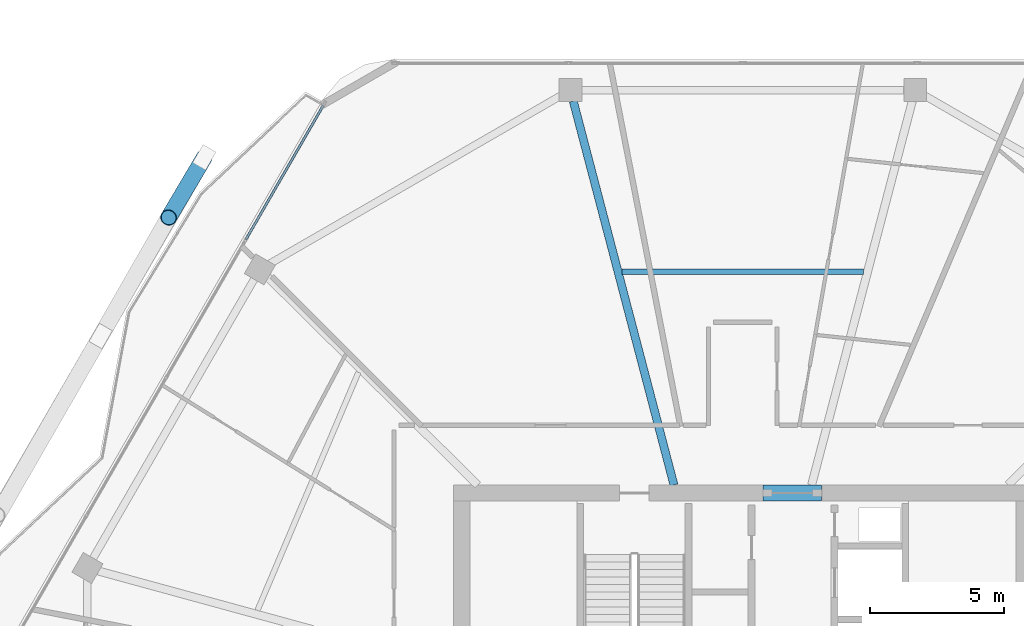
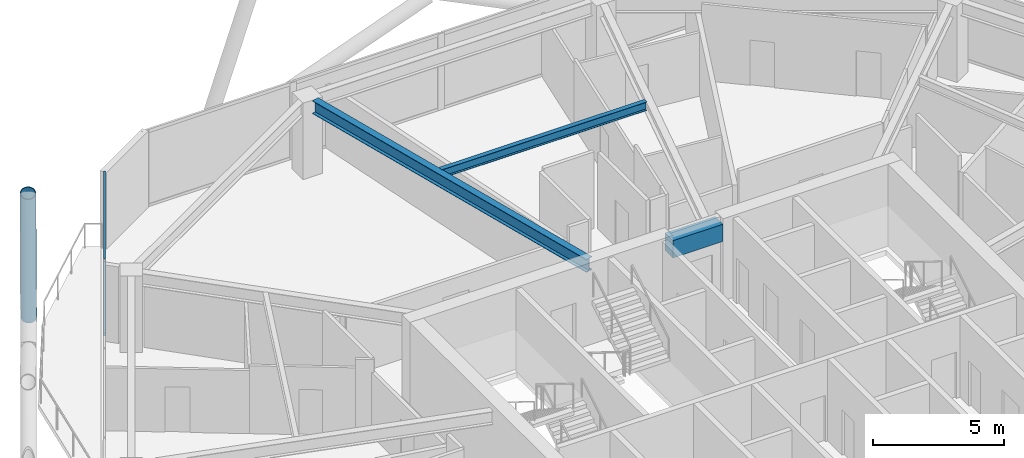
# One storey, part 14 of 29: 3 beams, 3 members, 1 element without a shape of its own.
"""IFC4 building model written with IfcOpenShell, lengths in metres."""

from ifc_helpers import new_model, si_unit, direction, frame, origin, origin_2d, place, context, subcontext, project, spatial, rectangle, hollow_rectangle, hollow_circle, i_section, extrude, material, material_profile, profile_set, type_object, element, aggregate, save


model = new_model("IFC4")

# Units and contexts
model_context = context("Model", 3, precision=1e-05, world=origin(), true_north=direction((0.0, 1.0)))
body_context = subcontext(model_context, "Body", "Model", "MODEL_VIEW")
ifc_project = project(units=[si_unit("LENGTHUNIT", "METRE"), si_unit("AREAUNIT", "SQUARE_METRE"), si_unit("VOLUMEUNIT", "CUBIC_METRE"), si_unit("PLANEANGLEUNIT", "RADIAN"), si_unit("MASSUNIT", "GRAM", prefix="KILO")], contexts=[model_context])

# Site, building, storey
site_placement = place(None, origin())
site = spatial("IfcSite", under=ifc_project, at=site_placement, CompositionType="ELEMENT")
building_placement = place(site_placement, origin())
building = spatial("IfcBuilding", under=site, at=building_placement, Name="Zuhravey Tower", CompositionType="ELEMENT")
storey_placement = place(building_placement, frame((0.0, 0.0, 292.0)))
storey = spatial("IfcBuildingStorey", under=building, at=storey_placement, Name="L74", CompositionType="ELEMENT", Elevation=292.0)

# Beam
ifc_material_1 = material(Name="Concrete C50/60", Category="concrete")
ifc_material_profile_1 = material_profile(ifc_material_1, rectangle(XDim=0.60009765625, YDim=0.800048828125, at=origin_2d()), Name="RC-600x800")
ifc_profile_set_1 = profile_set([ifc_material_profile_1], Name="Concrete C50/60")
beam_type_1 = type_object("IfcBeamType", Name="Core Coupling Beam RC600x800", PredefinedType="LINTEL", material=ifc_profile_set_1)
beam_1_placement = place(storey_placement, frame((36.751953125, 41.5, 3.14990234375), z_axis=(1.0, 0.0, 0.0), x_axis=(0.0, 1.0, 0.0)))
element("IfcBeam", 1, at=beam_1_placement, inside=storey, type_object=beam_type_1, Name="L74 CB2 BM-L74-CB-N", PredefinedType="LINTEL", context=body_context, shape_type="SweptSolid", body=[
    extrude(rectangle(XDim=0.60009765625, YDim=0.800048828125, at=origin_2d()), origin(), (0.0, 0.0, 1.0), 2.196044921875),
])

# Curtain wall, members
ifc_material_2 = material(Name="Thermally broken anodised aluminium", Category="aluminium")
curtain_wall_type = type_object("IfcCurtainWallType", Name="Zone 3-4 High-Rise Curtain Wall CW4", PredefinedType="NOTDEFINED", material=ifc_material_2)
curtain_wall_placement = place(storey_placement, origin())
curtain_wall = element("IfcCurtainWall", 2, at=curtain_wall_placement, inside=storey, type_object=curtain_wall_type, Name="L74 CW4 CW-L74-F3-1", PredefinedType="NOTDEFINED")
ifc_material_3 = material(Name="Anodised aluminium", Category="aluminium")
ifc_material_profile_2 = material_profile(ifc_material_3, hollow_rectangle(XDim=0.090087890625, YDim=0.14990234375, WallThickness=0.0048828125, at=origin_2d()), Name="ALU-RHS-90x150x5")
ifc_profile_set_2 = profile_set([ifc_material_profile_2], Name="Anodised aluminium")
member_type_1 = type_object("IfcMemberType", Name="Curtain-Wall Transom 90x150", PredefinedType="USERDEFINED", material=ifc_profile_set_2)
member_1_placement = place(storey_placement, frame((17.431396484375, 50.96533203125, 0.044921875), z_axis=(0.499980724263, 0.86603653235, 0.0), x_axis=(-0.86603653235, 0.499980724263, 0.0)))
member_1 = element("IfcMember", 3, at=member_1_placement, type_object=member_type_1, Name="CW4 transom 4.1", ObjectType="TRANSOM", PredefinedType="USERDEFINED", context=body_context, shape_type="SweptSolid", body=[
    extrude(hollow_rectangle(XDim=0.090087890625, YDim=0.14990234375, WallThickness=0.0048828125, at=origin_2d()), origin(), (0.0, 0.0, 1.0), 5.782470703125),
])
member_2_placement = place(storey_placement, frame((17.431396484375, 50.96533203125, 3.5048828125), z_axis=(0.499980724263, 0.86603653235, 0.0), x_axis=(-0.86603653235, 0.499980724263, 0.0)))
member_2 = element("IfcMember", 4, at=member_2_placement, type_object=member_type_1, Name="CW4 transom 4.2", ObjectType="TRANSOM", PredefinedType="USERDEFINED", context=body_context, shape_type="SweptSolid", body=[
    extrude(hollow_rectangle(XDim=0.090087890625, YDim=0.14990234375, WallThickness=0.0048828125, at=origin_2d()), origin(), (0.0, 0.0, 1.0), 5.782470703125),
])
aggregate(curtain_wall, [member_1, member_2])

# Member
ifc_material_4 = material(Name="Steel SM355", Category="steel")
ifc_material_profile_3 = material_profile(ifc_material_4, hollow_circle(Radius=0.3046875, WallThickness=0.028076171875, at=origin_2d()), Name="CHS-609.6x28")
ifc_profile_set_3 = profile_set([ifc_material_profile_3], Name="Steel SM355")
member_type_2 = type_object("IfcMemberType", Name="Exoskeleton Zone 3 Diagrid CHS610x28", PredefinedType="BRACE", material=ifc_profile_set_3)
member_3_placement = place(storey_placement, frame((15.87841796875, 54.03564453125, -0.446044921875), z_axis=(-0.166263547493, -0.280502989926, 0.945343591197), x_axis=(0.860238328743, -0.509892162876, 0.0)))
element("IfcMember", 5, at=member_3_placement, inside=storey, type_object=member_type_2, Name="L74 Face 3 Diagrid Brace 1", PredefinedType="BRACE", context=body_context, shape_type="SweptSolid", body=[
    extrude(hollow_circle(Radius=0.3046875, WallThickness=0.028076171875, at=origin_2d()), origin(), (0.0, 0.0, 1.0), 8.001220703125),
])

# Beams
ifc_material_profile_4 = material_profile(ifc_material_4, i_section(OverallWidth=0.300048828125, OverallDepth=0.60009765625, WebThickness=0.011962890625, FlangeThickness=0.02001953125, at=origin_2d()), Name="H-600x300x12x20")
ifc_profile_set_4 = profile_set([ifc_material_profile_4], Name="Steel SM355")
beam_type_2 = type_object("IfcBeamType", Name="Radial Primary Girder H600x300", PredefinedType="BEAM", material=ifc_profile_set_4)
beam_2_placement = place(storey_placement, frame((33.428466796875, 41.802978515625, 3.25), z_axis=(-0.25373188956, 0.967274587809, 0.0), x_axis=(-0.967274587809, -0.25373188956, 0.0)))
element("IfcBeam", 6, at=beam_2_placement, inside=storey, type_object=beam_type_2, Name="L74 RG3 BM-L74-RAD-04", PredefinedType="BEAM", context=body_context, shape_type="SweptSolid", body=[
    extrude(i_section(OverallWidth=0.300048828125, OverallDepth=0.60009765625, WebThickness=0.011962890625, FlangeThickness=0.02001953125, at=origin_2d()), origin(), (0.0, 0.0, 1.0), 14.82177734375),
])
ifc_material_profile_5 = material_profile(ifc_material_4, i_section(OverallWidth=0.199951171875, OverallDepth=0.39990234375, WebThickness=0.008056640625, FlangeThickness=0.012939453125, at=origin_2d()), Name="H-400x200x8x13")
ifc_profile_set_5 = profile_set([ifc_material_profile_5], Name="Steel SM355")
beam_type_3 = type_object("IfcBeamType", Name="Secondary Floor Joist H400x200", PredefinedType="JOIST", material=ifc_profile_set_5)
beam_3_placement = place(storey_placement, frame((40.507080078125, 49.768310546875, 3.35009765625), z_axis=(-1.0, 0.0, 0.0), x_axis=(0.0, -1.0, 0.0)))
element("IfcBeam", 7, at=beam_3_placement, inside=storey, type_object=beam_type_3, Name="L74 SJ2 BM-L74-SJ-03-1", PredefinedType="JOIST", context=body_context, shape_type="SweptSolid", body=[
    extrude(i_section(OverallWidth=0.199951171875, OverallDepth=0.39990234375, WebThickness=0.008056640625, FlangeThickness=0.012939453125, at=origin_2d()), origin(), (0.0, 0.0, 1.0), 9.01416015625),
])

save(model, "model.ifc")
